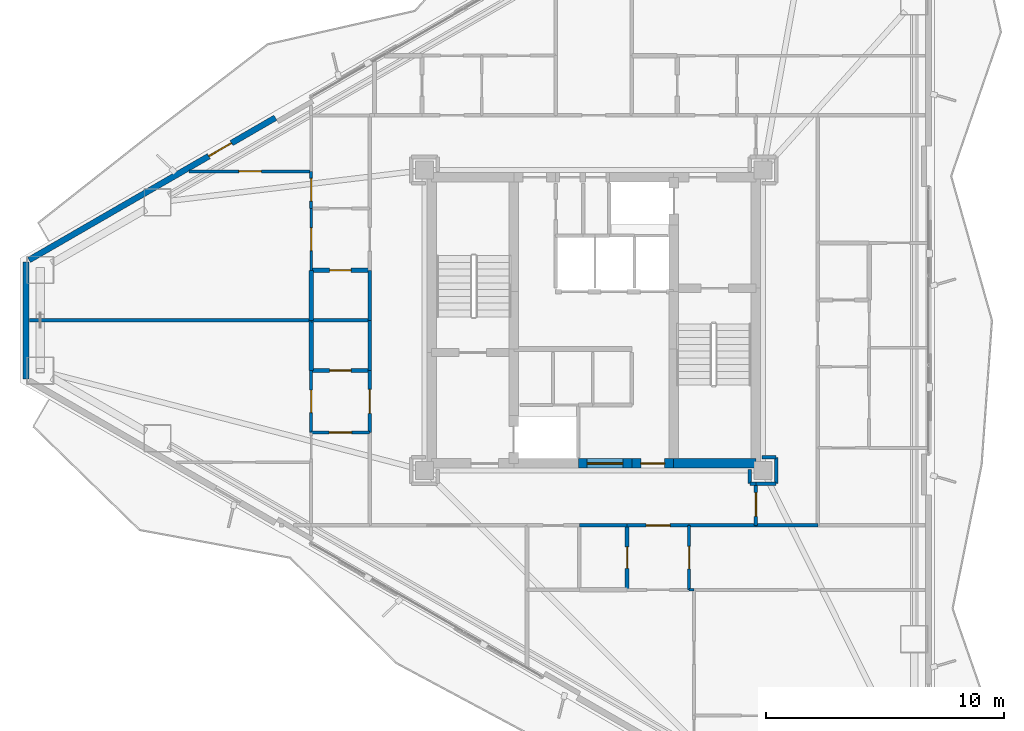
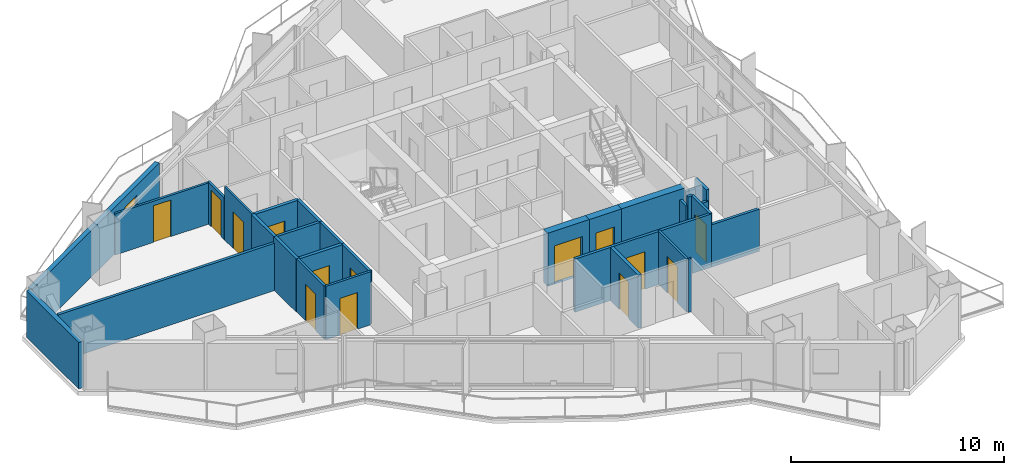
# One storey, part 16 of 23: 32 walls, 15 doors, 15 openings.
"""IFC4 building model written with IfcOpenShell, lengths in metres."""

from ifc_helpers import new_model, si_unit, direction, frame, frame_2d, origin, place, context, subcontext, project, spatial, rectangle, extrude, material, layer, layer_set, type_object, element, fill, save


model = new_model("IFC4")

# Units and contexts
model_context = context("Model", 3, precision=1e-05, world=origin(), true_north=direction((0.0, 1.0)))
body_context = subcontext(model_context, "Body", "Model", "MODEL_VIEW")
ifc_project = project(units=[si_unit("LENGTHUNIT", "METRE"), si_unit("AREAUNIT", "SQUARE_METRE"), si_unit("VOLUMEUNIT", "CUBIC_METRE"), si_unit("PLANEANGLEUNIT", "RADIAN"), si_unit("MASSUNIT", "GRAM", prefix="KILO")], contexts=[model_context])

# Site, building, storey
site_placement = place(None, origin())
site = spatial("IfcSite", under=ifc_project, at=site_placement, CompositionType="ELEMENT")
building_placement = place(site_placement, origin())
building = spatial("IfcBuilding", under=site, at=building_placement, Name="Mersakhor Tower and Convention Hall", CompositionType="ELEMENT")
storey_placement = place(building_placement, frame((0.0, 0.0, 106.5)))
storey = spatial("IfcBuildingStorey", under=building, at=storey_placement, Name="L29", CompositionType="ELEMENT", Elevation=106.5)

# Wall
ifc_material_1 = material(Name="Precast concrete C40/50", Category="concrete")
ifc_layer_1 = layer(ifc_material_1, 0.25)
ifc_layer_set_1 = layer_set([ifc_layer_1], Name="Precast concrete C40/50")
wall_type_1 = type_object("IfcWallType", Name="WL-EXT-250", PredefinedType="SOLIDWALL", material=ifc_layer_set_1)
wall_1_placement = place(storey_placement, frame((5.186767578125, 24.292724609375, 0.0), z_axis=(0.0, 0.0, 1.0), x_axis=(0.0, 1.0, 0.0)))
element("IfcWall", 1, at=wall_1_placement, inside=storey, type_object=wall_type_1, Name="L29 Chamfer Braced Spandrel Wall C3", PredefinedType="SOLIDWALL", context=body_context, shape_type="SweptSolid", body=[
    extrude(rectangle(XDim=4.91455078125, YDim=0.25, at=frame_2d((2.457275390625, 0.0))), origin(), (0.0, 0.0, 1.0), 2.669921875),
])

# Wall, opening, door
wall_2_placement = place(storey_placement, frame((5.316650390625, 29.2822265625, 0.0), z_axis=(0.0, 0.0, 1.0), x_axis=(0.866023023012, 0.500004123596, 0.0)))
wall_2 = element("IfcWall", 2, at=wall_2_placement, inside=storey, type_object=wall_type_1, Name="L29 Exterior Facade Wall F1-B1", PredefinedType="SOLIDWALL", context=body_context, shape_type="SweptSolid", body=[
    extrude(rectangle(XDim=11.9296875, YDim=0.25, at=frame_2d((5.96484375, 0.0))), origin(), (0.0, 0.0, 1.0), 2.669921875),
])
opening_1_placement = place(wall_2_placement, frame((8.7041015625, 0.0, 0.0)))
opening_1 = element("IfcOpeningElement", 3, at=opening_1_placement, cuts=wall_2, Name="Opening BD-02", PredefinedType="OPENING", context=body_context, shape_type="SweptSolid", body=[
    extrude(rectangle(XDim=1.10009765625, YDim=2.10009765625, at=frame_2d((0.550048828125, 1.050048828125))), frame((0.0, 0.135009765625, 0.0), z_axis=(0.0, -1.0, 0.0), x_axis=(1.0, 0.0, 0.0)), (0.0, 0.0, 1.0), 0.27001953125),
])
ifc_material_2 = material(Name="Thermally broken dark aluminium and safety glass", Category="aluminium")
door_type_1 = type_object("IfcDoorType", Name="DR-BAL-110x210", OperationType="NOTDEFINED", PredefinedType="DOOR", material=ifc_material_2)
door_1_placement = place(opening_1_placement, origin())
door_1 = element("IfcDoor", 4, at=door_1_placement, inside=storey, type_object=door_type_1, Name="L29 Balcony Terrace Door F1-B1", OperationType="SINGLE_SWING_RIGHT", OverallHeight=2.10009765625, OverallWidth=1.10009765625, PredefinedType="DOOR", context=body_context, shape_type="SweptSolid", body=[
    extrude(rectangle(XDim=1.10009765625, YDim=2.10009765625, at=frame_2d((0.550048828125, 1.050048828125))), frame((0.0, 0.02490234375, 0.0), z_axis=(0.0, -1.0, 0.0), x_axis=(1.0, 0.0, 0.0)), (0.0, 0.0, 1.0), 0.050048828125),
])
fill(opening_1, door_1)

ifc_material_3 = material(Name="Moisture-resistant acoustic drywall studwork", Category="other")
ifc_layer_2 = layer(ifc_material_3, 0.175048828125)
ifc_layer_set_2 = layer_set([ifc_layer_2], Name="Moisture-resistant acoustic drywall studwork")
wall_type_2 = type_object("IfcWallType", Name="WL-PLM-175", PredefinedType="PLUMBINGWALL", material=ifc_layer_set_2)
wall_3_placement = place(storey_placement, frame((30.39990234375, 15.449951171875, 0.0), z_axis=(0.0, 0.0, 1.0), x_axis=(0.0, 1.0, 0.0)))
wall_3 = element("IfcWall", 5, at=wall_3_placement, inside=storey, type_object=wall_type_2, Name="L29 Interior Partition Wall P-072", PredefinedType="PLUMBINGWALL", context=body_context, shape_type="SweptSolid", body=[
    extrude(rectangle(XDim=2.699951171875, YDim=0.175048828125, at=frame_2d((1.35009765625, 0.0))), origin(), (0.0, 0.0, 1.0), 3.050048828125),
])
opening_2_placement = place(wall_3_placement, frame((0.89990234375, 0.0, 0.0)))
opening_2 = element("IfcOpeningElement", 6, at=opening_2_placement, cuts=wall_3, Name="Opening WD-01", PredefinedType="OPENING", context=body_context, shape_type="SweptSolid", body=[
    extrude(rectangle(XDim=0.89990234375, YDim=2.10009765625, at=frame_2d((0.449951171875, 1.050048828125))), frame((0.0, 0.097412109375, 0.0), z_axis=(0.0, -1.0, 0.0), x_axis=(1.0, 0.0, 0.0)), (0.0, 0.0, 1.0), 0.195068359375),
])
ifc_material_4 = material(Name="Solid-core hardwood leaf in painted steel frame", Category="steel")
door_type_2 = type_object("IfcDoorType", Name="DR-INT-WET-090x210", OperationType="NOTDEFINED", PredefinedType="DOOR", material=ifc_material_4)
door_2_placement = place(opening_2_placement, origin())
door_2 = element("IfcDoor", 7, at=door_2_placement, inside=storey, type_object=door_type_2, Name="L29 L29 Flat S3 Apartment Hall to L29 Flat S3 Bathroom Door", OperationType="SINGLE_SWING_RIGHT", OverallHeight=2.10009765625, OverallWidth=0.89990234375, PredefinedType="DOOR", context=body_context, shape_type="SweptSolid", body=[
    extrude(rectangle(XDim=0.89990234375, YDim=2.10009765625, at=frame_2d((0.449951171875, 1.050048828125))), frame((0.0, 0.02490234375, 0.0), z_axis=(0.0, -1.0, 0.0), x_axis=(1.0, 0.0, 0.0)), (0.0, 0.0, 1.0), 0.050048828125),
])
fill(opening_2, door_2)

wall_4_placement = place(storey_placement, frame((19.60009765625, 28.85009765625, 0.0), z_axis=(0.0, 0.0, 1.0), x_axis=(-1.0, 0.0, 0.0)))
wall_4 = element("IfcWall", 8, at=wall_4_placement, inside=storey, type_object=wall_type_2, Name="L29 Interior Partition Wall P-076", PredefinedType="PLUMBINGWALL", context=body_context, shape_type="SweptSolid", body=[
    extrude(rectangle(XDim=2.4501953125, YDim=0.175048828125, at=frame_2d((1.22509765625, 0.0))), origin(), (0.0, 0.0, 1.0), 3.050048828125),
])
opening_3_placement = place(wall_4_placement, frame((0.77490234375, 0.0, 0.0)))
opening_3 = element("IfcOpeningElement", 9, at=opening_3_placement, cuts=wall_4, Name="Opening WD-01", PredefinedType="OPENING", context=body_context, shape_type="SweptSolid", body=[
    extrude(rectangle(XDim=0.89990234375, YDim=2.10009765625, at=frame_2d((0.449951171875, 1.050048828125))), frame((0.0, 0.097412109375, 0.0), z_axis=(0.0, -1.0, 0.0), x_axis=(1.0, 0.0, 0.0)), (0.0, 0.0, 1.0), 0.195068359375),
])
door_3_placement = place(opening_3_placement, origin())
door_3 = element("IfcDoor", 10, at=door_3_placement, inside=storey, type_object=door_type_2, Name="L29 L29 Flat W4 Apartment Hall to L29 Flat W4 Bathroom Door", OperationType="SINGLE_SWING_LEFT", OverallHeight=2.10009765625, OverallWidth=0.89990234375, PredefinedType="DOOR", context=body_context, shape_type="SweptSolid", body=[
    extrude(rectangle(XDim=0.89990234375, YDim=2.10009765625, at=frame_2d((0.449951171875, 1.050048828125))), frame((0.0, 0.02490234375, 0.0), z_axis=(0.0, -1.0, 0.0), x_axis=(1.0, 0.0, 0.0)), (0.0, 0.0, 1.0), 0.050048828125),
])
fill(opening_3, door_3)

wall_5_placement = place(storey_placement, frame((17.14990234375, 24.64990234375, 0.0), z_axis=(0.0, 0.0, 1.0), x_axis=(1.0, 0.0, 0.0)))
wall_5 = element("IfcWall", 11, at=wall_5_placement, inside=storey, type_object=wall_type_2, Name="L29 Interior Partition Wall P-078", PredefinedType="PLUMBINGWALL", context=body_context, shape_type="SweptSolid", body=[
    extrude(rectangle(XDim=2.4501953125, YDim=0.175048828125, at=frame_2d((1.22509765625, 0.0))), origin(), (0.0, 0.0, 1.0), 3.050048828125),
])
opening_4_placement = place(wall_5_placement, frame((0.77490234375, 0.0, 0.0)))
opening_4 = element("IfcOpeningElement", 12, at=opening_4_placement, cuts=wall_5, Name="Opening WD-01", PredefinedType="OPENING", context=body_context, shape_type="SweptSolid", body=[
    extrude(rectangle(XDim=0.89990234375, YDim=2.10009765625, at=frame_2d((0.449951171875, 1.050048828125))), frame((0.0, 0.097412109375, 0.0), z_axis=(0.0, -1.0, 0.0), x_axis=(1.0, 0.0, 0.0)), (0.0, 0.0, 1.0), 0.195068359375),
])
door_4_placement = place(opening_4_placement, origin())
door_4 = element("IfcDoor", 13, at=door_4_placement, inside=storey, type_object=door_type_2, Name="L29 L29 Flat W5 Apartment Hall to L29 Flat W5 Bathroom Door", OperationType="SINGLE_SWING_RIGHT", OverallHeight=2.10009765625, OverallWidth=0.89990234375, PredefinedType="DOOR", context=body_context, shape_type="SweptSolid", body=[
    extrude(rectangle(XDim=0.89990234375, YDim=2.10009765625, at=frame_2d((0.449951171875, 1.050048828125))), frame((0.0, 0.02490234375, 0.0), z_axis=(0.0, -1.0, 0.0), x_axis=(1.0, 0.0, 0.0)), (0.0, 0.0, 1.0), 0.050048828125),
])
fill(opening_4, door_4)

# Walls
for number, where, z_axis, x_axis, name in (
    (14, (17.14990234375, 26.75, 0.0), (0.0, 0.0, 1.0), (0.0, 1.0, 0.0), "L29 Interior Partition Wall P-099"),
    (15, (17.14990234375, 24.64990234375, 0.0), (0.0, 0.0, 1.0), (0.0, 1.0, 0.0), "L29 Interior Partition Wall P-104"),
):
    element("IfcWall", number, at=place(storey_placement, frame(where, z_axis=z_axis, x_axis=x_axis)), inside=storey, type_object=wall_type_2, Name=name, PredefinedType="PLUMBINGWALL", context=body_context, shape_type="SweptSolid", body=[
        extrude(rectangle(XDim=2.10009765625, YDim=0.175048828125, at=frame_2d((1.050048828125, 0.0))), origin(), (0.0, 0.0, 1.0), 3.050048828125),
    ])

# Wall, opening, door
ifc_material_5 = material(Name="Lightweight gypsum partition", Category="other")
ifc_layer_3 = layer(ifc_material_5, 0.10009765625)
ifc_layer_set_3 = layer_set([ifc_layer_3], Name="Lightweight gypsum partition")
wall_type_3 = type_object("IfcWallType", Name="WL-PRT-100", PredefinedType="PARTITIONING", material=ifc_layer_set_3)
wall_6_placement = place(storey_placement, frame((17.14990234375, 28.85009765625, 0.0), z_axis=(0.0, 0.0, 1.0), x_axis=(0.0, 1.0, 0.0)))
wall_6 = element("IfcWall", 16, at=wall_6_placement, inside=storey, type_object=wall_type_3, Name="L29 Interior Partition Wall P-074", PredefinedType="PARTITIONING", context=body_context, shape_type="SweptSolid", body=[
    extrude(rectangle(XDim=2.599853515625, YDim=0.10009765625, at=frame_2d((1.2998046875, 0.0))), origin(), (0.0, 0.0, 1.0), 3.050048828125),
])
opening_5_placement = place(wall_6_placement, frame((0.824951171875, 0.0, 0.0)))
opening_5 = element("IfcOpeningElement", 17, at=opening_5_placement, cuts=wall_6, Name="Opening RD-01", PredefinedType="OPENING", context=body_context, shape_type="SweptSolid", body=[
    extrude(rectangle(XDim=0.949951171875, YDim=2.10009765625, at=frame_2d((0.47509765625, 1.050048828125))), frame((0.0, 0.06005859375, 0.0), z_axis=(0.0, -1.0, 0.0), x_axis=(1.0, 0.0, 0.0)), (0.0, 0.0, 1.0), 0.1201171875),
])
ifc_material_6 = material(Name="Solid-core hardwood leaf in painted steel frame", Category="steel")
door_type_3 = type_object("IfcDoorType", Name="DR-INT-RM-095x210", OperationType="NOTDEFINED", PredefinedType="DOOR", material=ifc_material_6)
door_5_placement = place(opening_5_placement, origin())
door_5 = element("IfcDoor", 18, at=door_5_placement, inside=storey, type_object=door_type_3, Name="L29 L29 Flat W4 Apartment Hall to L29 Flat W4 Living and Dining Room Door", OperationType="SINGLE_SWING_LEFT", OverallHeight=2.10009765625, OverallWidth=0.949951171875, PredefinedType="DOOR", context=body_context, shape_type="SweptSolid", body=[
    extrude(rectangle(XDim=0.949951171875, YDim=2.10009765625, at=frame_2d((0.47509765625, 1.050048828125))), frame((0.0, 0.02490234375, 0.0), z_axis=(0.0, -1.0, 0.0), x_axis=(1.0, 0.0, 0.0)), (0.0, 0.0, 1.0), 0.050048828125),
])
fill(opening_5, door_5)

# Wall
wall_7_placement = place(storey_placement, frame((33.199951171875, 15.449951171875, 0.0), z_axis=(0.0, 0.0, 1.0), x_axis=(-1.0, 0.0, 0.0)))
element("IfcWall", 19, at=wall_7_placement, inside=storey, type_object=wall_type_3, Name="L29 Interior Partition Wall P-098", PredefinedType="PARTITIONING", context=body_context, shape_type="SweptSolid", body=[
    extrude(rectangle(XDim=0.199951171875, YDim=0.10009765625, at=frame_2d((0.10009765625, 0.0))), origin(), (0.0, 0.0, 1.0), 3.050048828125),
])

# Wall, opening, door
ifc_material_7 = material(Name="Gypsum board acoustic partition", Category="other")
ifc_layer_4 = layer(ifc_material_7, 0.125)
ifc_layer_set_4 = layer_set([ifc_layer_4], Name="Gypsum board acoustic partition")
wall_type_4 = type_object("IfcWallType", Name="WL-PRT-125", PredefinedType="PARTITIONING", material=ifc_layer_set_4)
wall_8_placement = place(storey_placement, frame((33.0, 18.14990234375, 0.0), z_axis=(0.0, 0.0, 1.0), x_axis=(0.0, -1.0, 0.0)))
wall_8 = element("IfcWall", 20, at=wall_8_placement, inside=storey, type_object=wall_type_4, Name="L29 Interior Partition Wall P-073", PredefinedType="PARTITIONING", context=body_context, shape_type="SweptSolid", body=[
    extrude(rectangle(XDim=2.699951171875, YDim=0.125, at=frame_2d((1.35009765625, 0.0))), origin(), (0.0, 0.0, 1.0), 3.050048828125),
])
opening_6_placement = place(wall_8_placement, frame((0.875, 0.0, 0.0)))
opening_6 = element("IfcOpeningElement", 21, at=opening_6_placement, cuts=wall_8, Name="Opening RD-01", PredefinedType="OPENING", context=body_context, shape_type="SweptSolid", body=[
    extrude(rectangle(XDim=0.949951171875, YDim=2.10009765625, at=frame_2d((0.47509765625, 1.050048828125))), frame((0.0, 0.072509765625, 0.0), z_axis=(0.0, -1.0, 0.0), x_axis=(1.0, 0.0, 0.0)), (0.0, 0.0, 1.0), 0.14501953125),
])
door_6_placement = place(opening_6_placement, origin())
door_6 = element("IfcDoor", 22, at=door_6_placement, inside=storey, type_object=door_type_3, Name="L29 L29 Flat S3 Apartment Hall to L29 Flat S3 Kitchen Door", OperationType="SINGLE_SWING_LEFT", OverallHeight=2.10009765625, OverallWidth=0.949951171875, PredefinedType="DOOR", context=body_context, shape_type="SweptSolid", body=[
    extrude(rectangle(XDim=0.949951171875, YDim=2.10009765625, at=frame_2d((0.47509765625, 1.050048828125))), frame((0.0, 0.02490234375, 0.0), z_axis=(0.0, -1.0, 0.0), x_axis=(1.0, 0.0, 0.0)), (0.0, 0.0, 1.0), 0.050048828125),
])
fill(opening_6, door_6)

wall_9_placement = place(storey_placement, frame((17.14990234375, 22.050048828125, 0.0), z_axis=(0.0, 0.0, 1.0), x_axis=(0.0, 1.0, 0.0)))
wall_9 = element("IfcWall", 23, at=wall_9_placement, inside=storey, type_object=wall_type_4, Name="L29 Interior Partition Wall P-077", PredefinedType="PARTITIONING", context=body_context, shape_type="SweptSolid", body=[
    extrude(rectangle(XDim=2.599853515625, YDim=0.125, at=frame_2d((1.2998046875, 0.0))), origin(), (0.0, 0.0, 1.0), 3.050048828125),
])
opening_7_placement = place(wall_9_placement, frame((0.824951171875, 0.0, 0.0)))
opening_7 = element("IfcOpeningElement", 24, at=opening_7_placement, cuts=wall_9, Name="Opening RD-01", PredefinedType="OPENING", context=body_context, shape_type="SweptSolid", body=[
    extrude(rectangle(XDim=0.949951171875, YDim=2.10009765625, at=frame_2d((0.47509765625, 1.050048828125))), frame((0.0, 0.072509765625, 0.0), z_axis=(0.0, -1.0, 0.0), x_axis=(1.0, 0.0, 0.0)), (0.0, 0.0, 1.0), 0.14501953125),
])
door_7_placement = place(opening_7_placement, origin())
door_7 = element("IfcDoor", 25, at=door_7_placement, inside=storey, type_object=door_type_3, Name="L29 L29 Flat W5 Apartment Hall to L29 Flat W5 Living and Dining Room Door", OperationType="SINGLE_SWING_RIGHT", OverallHeight=2.10009765625, OverallWidth=0.949951171875, PredefinedType="DOOR", context=body_context, shape_type="SweptSolid", body=[
    extrude(rectangle(XDim=0.949951171875, YDim=2.10009765625, at=frame_2d((0.47509765625, 1.050048828125))), frame((0.0, 0.02490234375, 0.0), z_axis=(0.0, -1.0, 0.0), x_axis=(1.0, 0.0, 0.0)), (0.0, 0.0, 1.0), 0.050048828125),
])
fill(opening_7, door_7)

wall_10_placement = place(storey_placement, frame((19.60009765625, 22.050048828125, 0.0), z_axis=(0.0, 0.0, 1.0), x_axis=(-1.0, 0.0, 0.0)))
wall_10 = element("IfcWall", 26, at=wall_10_placement, inside=storey, type_object=wall_type_4, Name="L29 Interior Partition Wall P-079", PredefinedType="PARTITIONING", context=body_context, shape_type="SweptSolid", body=[
    extrude(rectangle(XDim=2.4501953125, YDim=0.125, at=frame_2d((1.22509765625, 0.0))), origin(), (0.0, 0.0, 1.0), 3.050048828125),
])
opening_8_placement = place(wall_10_placement, frame((0.75, 0.0, 0.0)))
opening_8 = element("IfcOpeningElement", 27, at=opening_8_placement, cuts=wall_10, Name="Opening RD-01", PredefinedType="OPENING", context=body_context, shape_type="SweptSolid", body=[
    extrude(rectangle(XDim=0.949951171875, YDim=2.10009765625, at=frame_2d((0.47509765625, 1.050048828125))), frame((0.0, 0.072509765625, 0.0), z_axis=(0.0, -1.0, 0.0), x_axis=(1.0, 0.0, 0.0)), (0.0, 0.0, 1.0), 0.14501953125),
])
door_8_placement = place(opening_8_placement, origin())
door_8 = element("IfcDoor", 28, at=door_8_placement, inside=storey, type_object=door_type_3, Name="L29 L29 Flat W5 Apartment Hall to L29 Flat W5 Kitchen Door", OperationType="SINGLE_SWING_LEFT", OverallHeight=2.10009765625, OverallWidth=0.949951171875, PredefinedType="DOOR", context=body_context, shape_type="SweptSolid", body=[
    extrude(rectangle(XDim=0.949951171875, YDim=2.10009765625, at=frame_2d((0.47509765625, 1.050048828125))), frame((0.0, 0.02490234375, 0.0), z_axis=(0.0, -1.0, 0.0), x_axis=(1.0, 0.0, 0.0)), (0.0, 0.0, 1.0), 0.050048828125),
])
fill(opening_8, door_8)

wall_11_placement = place(storey_placement, frame((17.14990234375, 31.449951171875, 0.0), z_axis=(0.0, 0.0, 1.0), x_axis=(0.0, 1.0, 0.0)))
wall_11 = element("IfcWall", 29, at=wall_11_placement, inside=storey, type_object=wall_type_4, Name="L29 Interior Partition Wall P-101", PredefinedType="PARTITIONING", context=body_context, shape_type="SweptSolid", body=[
    extrude(rectangle(XDim=1.550048828125, YDim=0.125, at=frame_2d((0.77490234375, 0.0))), origin(), (0.0, 0.0, 1.0), 2.4228515625),
])
opening_9_placement = place(wall_11_placement, frame((0.300048828125, 0.0, 0.0)))
opening_9 = element("IfcOpeningElement", 30, at=opening_9_placement, cuts=wall_11, Name="Opening RD-01", PredefinedType="OPENING", context=body_context, shape_type="SweptSolid", body=[
    extrude(rectangle(XDim=0.949951171875, YDim=2.10009765625, at=frame_2d((0.47509765625, 1.050048828125))), frame((0.0, 0.072509765625, 0.0), z_axis=(0.0, -1.0, 0.0), x_axis=(1.0, 0.0, 0.0)), (0.0, 0.0, 1.0), 0.14501953125),
])
door_9_placement = place(opening_9_placement, origin())
door_9 = element("IfcDoor", 31, at=door_9_placement, inside=storey, type_object=door_type_3, Name="L29 L29 Flat W4 Kitchen to L29 Flat W4 Living and Dining Room Door", OperationType="SINGLE_SWING_LEFT", OverallHeight=2.10009765625, OverallWidth=0.949951171875, PredefinedType="DOOR", context=body_context, shape_type="SweptSolid", body=[
    extrude(rectangle(XDim=0.949951171875, YDim=2.10009765625, at=frame_2d((0.47509765625, 1.050048828125))), frame((0.0, 0.02490234375, 0.0), z_axis=(0.0, -1.0, 0.0), x_axis=(1.0, 0.0, 0.0)), (0.0, 0.0, 1.0), 0.050048828125),
])
fill(opening_9, door_9)

wall_12_placement = place(storey_placement, frame((12.02685546875, 33.0, 0.0), z_axis=(0.0, 0.0, 1.0), x_axis=(1.0, 0.0, 0.0)))
wall_12 = element("IfcWall", 32, at=wall_12_placement, inside=storey, type_object=wall_type_4, Name="L29 Interior Partition Wall P-125", PredefinedType="PARTITIONING", context=body_context, shape_type="SweptSolid", body=[
    extrude(rectangle(XDim=5.123046875, YDim=0.125, at=frame_2d((2.5615234375, 0.0))), origin(), (0.0, 0.0, 1.0), 2.364990234375),
])
opening_10_placement = place(wall_12_placement, frame((2.08642578125, 0.0, 0.0)))
opening_10 = element("IfcOpeningElement", 33, at=opening_10_placement, cuts=wall_12, Name="Opening RD-01", PredefinedType="OPENING", context=body_context, shape_type="SweptSolid", body=[
    extrude(rectangle(XDim=0.949951171875, YDim=2.10009765625, at=frame_2d((0.47509765625, 1.050048828125))), frame((0.0, 0.072509765625, 0.0), z_axis=(0.0, -1.0, 0.0), x_axis=(1.0, 0.0, 0.0)), (0.0, 0.0, 1.0), 0.14501953125),
])
door_10_placement = place(opening_10_placement, origin())
door_10 = element("IfcDoor", 34, at=door_10_placement, inside=storey, type_object=door_type_3, Name="L29 L29 Flat W4 Living and Dining Room to L29 Flat W4 Bedroom 1 Door", OperationType="SINGLE_SWING_LEFT", OverallHeight=2.10009765625, OverallWidth=0.949951171875, PredefinedType="DOOR", context=body_context, shape_type="SweptSolid", body=[
    extrude(rectangle(XDim=0.949951171875, YDim=2.10009765625, at=frame_2d((0.47509765625, 1.050048828125))), frame((0.0, 0.02490234375, 0.0), z_axis=(0.0, -1.0, 0.0), x_axis=(1.0, 0.0, 0.0)), (0.0, 0.0, 1.0), 0.050048828125),
])
fill(opening_10, door_10)

# Walls
ifc_material_8 = material(Name="Fire-rated gypsum board stud partition", Category="other")
ifc_layer_5 = layer(ifc_material_8, 0.14990234375)
ifc_layer_set_5 = layer_set([ifc_layer_5], Name="Fire-rated gypsum board stud partition")
wall_type_5 = type_object("IfcWallType", Name="WL-PRT-150", PredefinedType="PARTITIONING", material=ifc_layer_set_5)
wall_13_placement = place(storey_placement, frame((35.550048828125, 20.5, 0.0), z_axis=(0.0, 0.0, 1.0), x_axis=(0.0, -1.0, 0.0)))
element("IfcWall", 35, at=wall_13_placement, inside=storey, type_object=wall_type_5, Name="L29 Interior Partition Wall P-021", PredefinedType="PARTITIONING", context=body_context, shape_type="SweptSolid", body=[
    extrude(rectangle(XDim=0.60009765625, YDim=0.14990234375, at=frame_2d((0.300048828125, 0.0))), origin(), (0.0, 0.0, 1.0), 2.498291015625),
])
wall_14_placement = place(storey_placement, frame((35.550048828125, 19.89990234375, 0.0), z_axis=(0.0, 0.0, 1.0), x_axis=(1.0, 0.0, 0.0)))
element("IfcWall", 36, at=wall_14_placement, inside=storey, type_object=wall_type_5, Name="L29 Interior Partition Wall P-022", PredefinedType="PARTITIONING", context=body_context, shape_type="SweptSolid", body=[
    extrude(rectangle(XDim=0.25, YDim=0.14990234375, at=frame_2d((0.125, 0.0))), origin(), (0.0, 0.0, 1.0), 3.050048828125),
])

# Wall, opening, door
wall_15_placement = place(storey_placement, frame((35.800048828125, 19.89990234375, 0.0), z_axis=(0.0, 0.0, 1.0), x_axis=(0.0, -1.0, 0.0)))
wall_15 = element("IfcWall", 37, at=wall_15_placement, inside=storey, type_object=wall_type_5, Name="L29 Interior Partition Wall P-023", PredefinedType="PARTITIONING", context=body_context, shape_type="SweptSolid", body=[
    extrude(rectangle(XDim=1.75, YDim=0.14990234375, at=frame_2d((0.875, 0.0))), origin(), (0.0, 0.0, 1.0), 3.050048828125),
])
opening_11_placement = place(wall_15_placement, frame((0.375, 0.0, 0.0)))
opening_11 = element("IfcOpeningElement", 38, at=opening_11_placement, cuts=wall_15, Name="Opening FD-01", PredefinedType="OPENING", context=body_context, shape_type="SweptSolid", body=[
    extrude(rectangle(XDim=1.0, YDim=2.14990234375, at=frame_2d((0.5, 1.074951171875))), frame((0.0, 0.0849609375, 0.0), z_axis=(0.0, -1.0, 0.0), x_axis=(1.0, 0.0, 0.0)), (0.0, 0.0, 1.0), 0.169921875),
])
ifc_material_9 = material(Name="Fire-rated hardwood leaf and painted steel frame", Category="steel")
door_type_4 = type_object("IfcDoorType", Name="DR-INT-FLT-100x215", OperationType="NOTDEFINED", PredefinedType="DOOR", material=ifc_material_9)
door_11_placement = place(opening_11_placement, origin())
door_11 = element("IfcDoor", 39, at=door_11_placement, inside=storey, type_object=door_type_4, Name="L29 Ring Corridor Fire Door", OperationType="SINGLE_SWING_LEFT", OverallHeight=2.14990234375, OverallWidth=1.0, PredefinedType="DOOR", context=body_context, shape_type="SweptSolid", body=[
    extrude(rectangle(XDim=1.0, YDim=2.14990234375, at=frame_2d((0.5, 1.074951171875))), frame((0.0, 0.02490234375, 0.0), z_axis=(0.0, -1.0, 0.0), x_axis=(1.0, 0.0, 0.0)), (0.0, 0.0, 1.0), 0.050048828125),
])
fill(opening_11, door_11)

# Wall
wall_16_placement = place(storey_placement, frame((35.800048828125, 18.14990234375, 0.0), z_axis=(0.0, 0.0, 1.0), x_axis=(-1.0, 0.0, 0.0)))
element("IfcWall", 40, at=wall_16_placement, inside=storey, type_object=wall_type_5, Name="L29 Interior Partition Wall P-024", PredefinedType="PARTITIONING", context=body_context, shape_type="SweptSolid", body=[
    extrude(rectangle(XDim=2.800048828125, YDim=0.14990234375, at=frame_2d((1.39990234375, 0.0))), origin(), (0.0, 0.0, 1.0), 3.050048828125),
])

# Wall, opening, door
wall_17_placement = place(storey_placement, frame((33.0, 18.14990234375, 0.0), z_axis=(0.0, 0.0, 1.0), x_axis=(-1.0, 0.0, 0.0)))
wall_17 = element("IfcWall", 41, at=wall_17_placement, inside=storey, type_object=wall_type_5, Name="L29 Interior Partition Wall P-025", PredefinedType="PARTITIONING", context=body_context, shape_type="SweptSolid", body=[
    extrude(rectangle(XDim=2.60009765625, YDim=0.14990234375, at=frame_2d((1.300048828125, 0.0))), origin(), (0.0, 0.0, 1.0), 3.050048828125),
])
opening_12_placement = place(wall_17_placement, frame((0.800048828125, 0.0, 0.0)))
opening_12 = element("IfcOpeningElement", 42, at=opening_12_placement, cuts=wall_17, Name="Opening FD-01", PredefinedType="OPENING", context=body_context, shape_type="SweptSolid", body=[
    extrude(rectangle(XDim=1.0, YDim=2.14990234375, at=frame_2d((0.5, 1.074951171875))), frame((0.0, 0.0849609375, 0.0), z_axis=(0.0, -1.0, 0.0), x_axis=(1.0, 0.0, 0.0)), (0.0, 0.0, 1.0), 0.169921875),
])
door_12_placement = place(opening_12_placement, origin())
door_12 = element("IfcDoor", 43, at=door_12_placement, inside=storey, type_object=door_type_4, Name="L29 Apartment Entrance Door (Residential Ring Corridor to L29 Flat S3 Apartment Hall)", OperationType="SINGLE_SWING_LEFT", OverallHeight=2.14990234375, OverallWidth=1.0, PredefinedType="DOOR", context=body_context, shape_type="SweptSolid", body=[
    extrude(rectangle(XDim=1.0, YDim=2.14990234375, at=frame_2d((0.5, 1.074951171875))), frame((0.0, 0.02490234375, 0.0), z_axis=(0.0, -1.0, 0.0), x_axis=(1.0, 0.0, 0.0)), (0.0, 0.0, 1.0), 0.050048828125),
])
fill(opening_12, door_12)

# Wall
wall_18_placement = place(storey_placement, frame((30.39990234375, 18.14990234375, 0.0), z_axis=(0.0, 0.0, 1.0), x_axis=(-1.0, 0.0, 0.0)))
element("IfcWall", 44, at=wall_18_placement, inside=storey, type_object=wall_type_5, Name="L29 Interior Partition Wall P-026", PredefinedType="PARTITIONING", context=body_context, shape_type="SweptSolid", body=[
    extrude(rectangle(XDim=2.0, YDim=0.14990234375, at=frame_2d((1.0, 0.0))), origin(), (0.0, 0.0, 1.0), 3.050048828125),
])

# Wall, opening, door
wall_19_placement = place(storey_placement, frame((19.60009765625, 22.050048828125, 0.0), z_axis=(0.0, 0.0, 1.0), x_axis=(0.0, 1.0, 0.0)))
wall_19 = element("IfcWall", 45, at=wall_19_placement, inside=storey, type_object=wall_type_5, Name="L29 Interior Partition Wall P-030", PredefinedType="PARTITIONING", context=body_context, shape_type="SweptSolid", body=[
    extrude(rectangle(XDim=2.599853515625, YDim=0.14990234375, at=frame_2d((1.2998046875, 0.0))), origin(), (0.0, 0.0, 1.0), 3.050048828125),
])
opening_13_placement = place(wall_19_placement, frame((0.800048828125, 0.0, 0.0)))
opening_13 = element("IfcOpeningElement", 46, at=opening_13_placement, cuts=wall_19, Name="Opening FD-01", PredefinedType="OPENING", context=body_context, shape_type="SweptSolid", body=[
    extrude(rectangle(XDim=1.0, YDim=2.14990234375, at=frame_2d((0.5, 1.074951171875))), frame((0.0, 0.0849609375, 0.0), z_axis=(0.0, -1.0, 0.0), x_axis=(1.0, 0.0, 0.0)), (0.0, 0.0, 1.0), 0.169921875),
])
door_13_placement = place(opening_13_placement, origin())
door_13 = element("IfcDoor", 47, at=door_13_placement, inside=storey, type_object=door_type_4, Name="L29 Apartment Entrance Door (Residential Ring Corridor to L29 Flat W5 Apartment Hall)", OperationType="SINGLE_SWING_LEFT", OverallHeight=2.14990234375, OverallWidth=1.0, PredefinedType="DOOR", context=body_context, shape_type="SweptSolid", body=[
    extrude(rectangle(XDim=1.0, YDim=2.14990234375, at=frame_2d((0.5, 1.074951171875))), frame((0.0, 0.02490234375, 0.0), z_axis=(0.0, -1.0, 0.0), x_axis=(1.0, 0.0, 0.0)), (0.0, 0.0, 1.0), 0.050048828125),
])
fill(opening_13, door_13)

# Walls
for number, where, z_axis, x_axis, name in (
    (48, (19.60009765625, 24.64990234375, 0.0), (0.0, 0.0, 1.0), (0.0, 1.0, 0.0), "L29 Interior Partition Wall P-031"),
    (49, (19.60009765625, 26.75, 0.0), (0.0, 0.0, 1.0), (0.0, 1.0, 0.0), "L29 Interior Partition Wall P-032"),
):
    element("IfcWall", number, at=place(storey_placement, frame(where, z_axis=z_axis, x_axis=x_axis)), inside=storey, type_object=wall_type_5, Name=name, PredefinedType="PARTITIONING", context=body_context, shape_type="SweptSolid", body=[
        extrude(rectangle(XDim=2.10009765625, YDim=0.14990234375, at=frame_2d((1.050048828125, 0.0))), origin(), (0.0, 0.0, 1.0), 3.050048828125),
    ])
wall_20_placement = place(storey_placement, frame((36.64990234375, 21.0, 0.0), z_axis=(0.0, 0.0, 1.0), x_axis=(-1.0, 0.0, 0.0)))
element("IfcWall", 50, at=wall_20_placement, inside=storey, type_object=wall_type_5, Name="L29 Interior Partition Wall P-052", PredefinedType="PARTITIONING", context=body_context, shape_type="SweptSolid", body=[
    extrude(rectangle(XDim=0.599853515625, YDim=0.14990234375, at=frame_2d((0.2998046875, 0.0))), origin(), (0.0, 0.0, 1.0), 2.498291015625),
])
wall_21_placement = place(storey_placement, frame((38.39990234375, 18.14990234375, 0.0), z_axis=(0.0, 0.0, 1.0), x_axis=(-1.0, 0.0, 0.0)))
element("IfcWall", 51, at=wall_21_placement, inside=storey, type_object=wall_type_5, Name="L29 Interior Partition Wall P-062", PredefinedType="PARTITIONING", context=body_context, shape_type="SweptSolid", body=[
    extrude(rectangle(XDim=2.599853515625, YDim=0.14990234375, at=frame_2d((1.2998046875, 0.0))), origin(), (0.0, 0.0, 1.0), 2.4228515625),
])
wall_22_placement = place(storey_placement, frame((35.800048828125, 19.89990234375, 0.0), z_axis=(0.0, 0.0, 1.0), x_axis=(1.0, 0.0, 0.0)))
element("IfcWall", 52, at=wall_22_placement, inside=storey, type_object=wall_type_5, Name="L29 Interior Partition Wall P-063", PredefinedType="PARTITIONING", context=body_context, shape_type="SweptSolid", body=[
    extrude(rectangle(XDim=0.849853515625, YDim=0.14990234375, at=frame_2d((0.4248046875, 0.0))), origin(), (0.0, 0.0, 1.0), 2.4228515625),
])
wall_23_placement = place(storey_placement, frame((36.64990234375, 19.89990234375, 0.0), z_axis=(0.0, 0.0, 1.0), x_axis=(0.0, 1.0, 0.0)))
element("IfcWall", 53, at=wall_23_placement, inside=storey, type_object=wall_type_5, Name="L29 Interior Partition Wall P-064", PredefinedType="PARTITIONING", context=body_context, shape_type="SweptSolid", body=[
    extrude(rectangle(XDim=1.10009765625, YDim=0.14990234375, at=frame_2d((0.550048828125, 0.0))), origin(), (0.0, 0.0, 1.0), 3.050048828125),
])
wall_24_placement = place(storey_placement, frame((19.60009765625, 26.75, 0.0), z_axis=(0.0, 0.0, 1.0), x_axis=(-1.0, 0.0, 0.0)))
element("IfcWall", 54, at=wall_24_placement, inside=storey, type_object=wall_type_5, Name="L29 Interior Partition Wall P-100", PredefinedType="PARTITIONING", context=body_context, shape_type="SweptSolid", body=[
    extrude(rectangle(XDim=2.4501953125, YDim=0.14990234375, at=frame_2d((1.22509765625, 0.0))), origin(), (0.0, 0.0, 1.0), 3.050048828125),
])
wall_25_placement = place(storey_placement, frame((17.14990234375, 26.75, 0.0), z_axis=(0.0, 0.0, 1.0), x_axis=(-1.0, 0.0, 0.0)))
element("IfcWall", 55, at=wall_25_placement, inside=storey, type_object=wall_type_5, Name="L29 Interior Partition Wall P-126", PredefinedType="PARTITIONING", context=body_context, shape_type="SweptSolid", body=[
    extrude(rectangle(XDim=11.814208984375, YDim=0.14990234375, at=frame_2d((5.9072265625, 0.0))), origin(), (0.0, 0.0, 1.0), 2.714599609375),
])
ifc_material_10 = material(Name="Concrete C60/75", Category="concrete")
ifc_layer_6 = layer(ifc_material_10, 0.39990234375)
ifc_layer_set_6 = layer_set([ifc_layer_6], Name="Concrete C60/75")
wall_type_6 = type_object("IfcWallType", Name="WL-SHR-400", PredefinedType="SHEAR", material=ifc_layer_set_6)
wall_26_placement = place(storey_placement, frame((35.800048828125, 20.75, 0.0), z_axis=(0.0, 0.0, 1.0), x_axis=(-1.0, 0.0, 0.0)))
element("IfcWall", 56, at=wall_26_placement, inside=storey, type_object=wall_type_6, Name="L29 Core Wall CW-S1", PredefinedType="SHEAR", context=body_context, shape_type="SweptSolid", body=[
    extrude(rectangle(XDim=3.449951171875, YDim=0.39990234375, at=frame_2d((1.72509765625, 0.0))), origin(), (0.0, 0.0, 1.0), 3.050048828125),
])

# Wall, opening, door
wall_27_placement = place(storey_placement, frame((32.35009765625, 20.75, 0.0), z_axis=(0.0, 0.0, 1.0), x_axis=(-1.0, 0.0, 0.0)))
wall_27 = element("IfcWall", 57, at=wall_27_placement, inside=storey, type_object=wall_type_6, Name="L29 Core Wall CW-S2A", PredefinedType="SHEAR", context=body_context, shape_type="SweptSolid", body=[
    extrude(rectangle(XDim=1.75, YDim=0.39990234375, at=frame_2d((0.875, 0.0))), origin(), (0.0, 0.0, 1.0), 3.050048828125),
])
opening_14_placement = place(wall_27_placement, frame((0.375, 0.0, 0.0)))
opening_14 = element("IfcOpeningElement", 58, at=opening_14_placement, cuts=wall_27, Name="Opening CFD-01", PredefinedType="OPENING", context=body_context, shape_type="SweptSolid", body=[
    extrude(rectangle(XDim=1.0, YDim=2.14990234375, at=frame_2d((0.5, 1.074951171875))), frame((0.0, 0.2099609375, 0.0), z_axis=(0.0, -1.0, 0.0), x_axis=(1.0, 0.0, 0.0)), (0.0, 0.0, 1.0), 0.419921875),
])
ifc_material_11 = material(Name="Fire-rated hardwood leaf and painted steel frame", Category="steel")
door_type_5 = type_object("IfcDoorType", Name="DR-CORE-FD-100x215", OperationType="NOTDEFINED", PredefinedType="DOOR", material=ifc_material_11)
door_14_placement = place(opening_14_placement, origin())
door_14 = element("IfcDoor", 59, at=door_14_placement, inside=storey, type_object=door_type_5, Name="L29 Lift Lobby South Corridor Door", OperationType="SINGLE_SWING_RIGHT", OverallHeight=2.14990234375, OverallWidth=1.0, PredefinedType="DOOR", context=body_context, shape_type="SweptSolid", body=[
    extrude(rectangle(XDim=1.0, YDim=2.14990234375, at=frame_2d((0.5, 1.074951171875))), frame((0.0, 0.02490234375, 0.0), z_axis=(0.0, -1.0, 0.0), x_axis=(1.0, 0.0, 0.0)), (0.0, 0.0, 1.0), 0.050048828125),
])
fill(opening_14, door_14)

wall_28_placement = place(storey_placement, frame((30.60009765625, 20.75, 0.0), z_axis=(0.0, 0.0, 1.0), x_axis=(-1.0, 0.0, 0.0)))
wall_28 = element("IfcWall", 60, at=wall_28_placement, inside=storey, type_object=wall_type_6, Name="L29 Core Wall CW-S2B", PredefinedType="SHEAR", context=body_context, shape_type="SweptSolid", body=[
    extrude(rectangle(XDim=2.25, YDim=0.39990234375, at=frame_2d((1.125, 0.0))), origin(), (0.0, 0.0, 1.0), 3.050048828125),
])
opening_15_placement = place(wall_28_placement, frame((0.375, 0.0, 0.0)))
opening_15 = element("IfcOpeningElement", 61, at=opening_15_placement, cuts=wall_28, Name="Opening LD-LOB", PredefinedType="OPENING", context=body_context, shape_type="SweptSolid", body=[
    extrude(rectangle(XDim=1.5, YDim=2.199951171875, at=frame_2d((0.75, 1.10009765625))), frame((0.0, 0.2099609375, 0.0), z_axis=(0.0, -1.0, 0.0), x_axis=(1.0, 0.0, 0.0)), (0.0, 0.0, 1.0), 0.419921875),
])
ifc_material_12 = material(Name="Fire-rated hardwood leaf and painted steel frame", Category="steel")
door_type_6 = type_object("IfcDoorType", Name="DR-INT-LOB-150x220", OperationType="NOTDEFINED", PredefinedType="DOOR", material=ifc_material_12)
door_15_placement = place(opening_15_placement, origin())
door_15 = element("IfcDoor", 62, at=door_15_placement, inside=storey, type_object=door_type_6, Name="L29 Central Passenger Lift Lobby to Residential Ring Corridor Door", OperationType="DOUBLE_DOOR_SINGLE_SWING", OverallHeight=2.199951171875, OverallWidth=1.5, PredefinedType="DOOR", context=body_context, shape_type="SweptSolid", body=[
    extrude(rectangle(XDim=1.5, YDim=2.199951171875, at=frame_2d((0.75, 1.10009765625))), frame((0.0, 0.02490234375, 0.0), z_axis=(0.0, -1.0, 0.0), x_axis=(1.0, 0.0, 0.0)), (0.0, 0.0, 1.0), 0.050048828125),
])
fill(opening_15, door_15)

save(model, "model.ifc")
